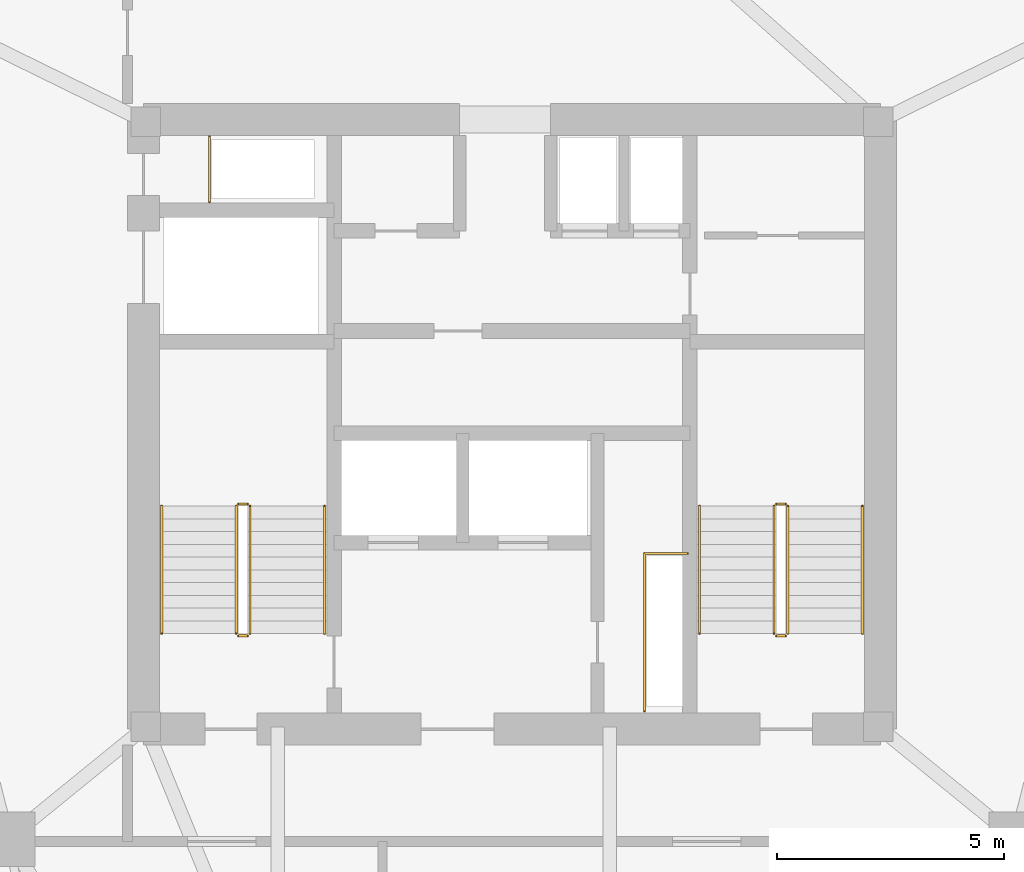
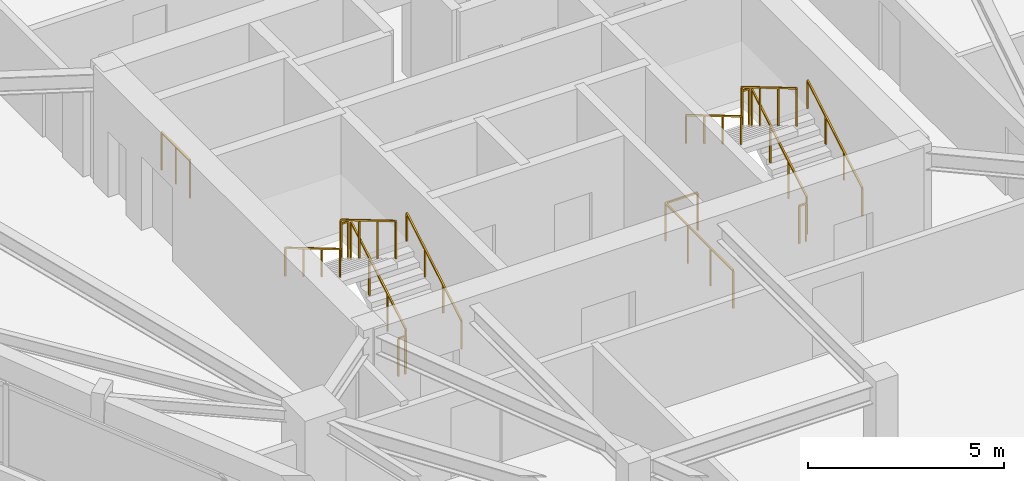
# One storey, part 11 of 11: 14 railings.
"""IFC4 building model written with IfcOpenShell, lengths in metres."""

from ifc_helpers import new_model, si_unit, direction, frame, origin, origin_2d, place, context, subcontext, project, spatial, rectangle, extrude, material, type_object, element, save


model = new_model("IFC4")

# Units and contexts
model_context = context("Model", 3, precision=1e-05, world=origin(), true_north=direction((0.0, 1.0)))
body_context = subcontext(model_context, "Body", "Model", "MODEL_VIEW")
ifc_project = project(units=[si_unit("LENGTHUNIT", "METRE"), si_unit("AREAUNIT", "SQUARE_METRE"), si_unit("VOLUMEUNIT", "CUBIC_METRE"), si_unit("PLANEANGLEUNIT", "RADIAN"), si_unit("MASSUNIT", "GRAM", prefix="KILO")], contexts=[model_context])

# Site, building, storey
site_placement = place(None, origin())
site = spatial("IfcSite", under=ifc_project, at=site_placement, CompositionType="ELEMENT")
building_placement = place(site_placement, origin())
building = spatial("IfcBuilding", under=site, at=building_placement, Name="Talyreon Biosciences Tower", CompositionType="ELEMENT")
storey_placement = place(building_placement, frame((0.0, 0.0, 238.89990234375)))
storey = spatial("IfcBuildingStorey", under=building, at=storey_placement, Name="L63", CompositionType="ELEMENT", Elevation=238.89990234375)

# Railings
ifc_material_1 = material(Name="Brushed stainless-steel tubular handrail", Category="steel")
railing_type_1 = type_object("IfcRailingType", Name="StairWallHandrail_900", PredefinedType="HANDRAIL", material=ifc_material_1)
railing_1_placement = place(storey_placement, frame((61.8798828125, 63.39990234375, 0.166015625)))
element("IfcRailing", 1, at=railing_1_placement, inside=storey, type_object=railing_type_1, Name="L63 ST-1 stair handrail 1", PredefinedType="HANDRAIL", context=body_context, shape_type="SweptSolid", body=[
    extrude(rectangle(XDim=0.048095703125, YDim=0.048095703125, at=origin_2d()), frame((0.0, 0.0, 0.8759765625), z_axis=(0.0, 0.860306154799, 0.50977771628), x_axis=(-1.0, 0.0, 0.0)), (0.0, 0.0, 1.0), 3.254638671875),
    extrude(rectangle(XDim=0.0419921875, YDim=0.0419921875, at=origin_2d()), origin(), (0.0, 0.0, 1.0), 0.851806640625),
    extrude(rectangle(XDim=0.0419921875, YDim=0.0419921875, at=origin_2d()), frame((0.0, 0.933349609375, 0.552978515625)), (0.0, 0.0, 1.0), 0.851806640625),
    extrude(rectangle(XDim=0.0419921875, YDim=0.0419921875, at=origin_2d()), frame((0.0, 1.86669921875, 1.106201171875)), (0.0, 0.0, 1.0), 0.851806640625),
    extrude(rectangle(XDim=0.0419921875, YDim=0.0419921875, at=origin_2d()), frame((0.0, 2.800048828125, 1.6591796875)), (0.0, 0.0, 1.0), 0.851806640625),
])
railing_2_placement = place(storey_placement, frame((58.300048828125, 66.199951171875, 1.990966796875)))
element("IfcRailing", 2, at=railing_2_placement, inside=storey, type_object=railing_type_1, Name="L63 ST-1 stair handrail 2", PredefinedType="HANDRAIL", context=body_context, shape_type="SweptSolid", body=[
    extrude(rectangle(XDim=0.048095703125, YDim=0.048095703125, at=origin_2d()), frame((0.0, 0.0, 0.8759765625), z_axis=(0.0, -0.860306154799, 0.50977771628), x_axis=(1.0, 0.0, 0.0)), (0.0, 0.0, 1.0), 3.254638671875),
    extrude(rectangle(XDim=0.0419921875, YDim=0.0419921875, at=origin_2d()), origin(), (0.0, 0.0, 1.0), 0.851806640625),
    extrude(rectangle(XDim=0.0419921875, YDim=0.0419921875, at=origin_2d()), frame((0.0, -0.933349609375, 0.552978515625)), (0.0, 0.0, 1.0), 0.851806640625),
    extrude(rectangle(XDim=0.0419921875, YDim=0.0419921875, at=origin_2d()), frame((0.0, -1.86669921875, 1.106201171875)), (0.0, 0.0, 1.0), 0.851806640625),
    extrude(rectangle(XDim=0.0419921875, YDim=0.0419921875, at=origin_2d()), frame((0.0, -2.800048828125, 1.6591796875)), (0.0, 0.0, 1.0), 0.851806640625),
])
railing_3_placement = place(storey_placement, frame((73.699951171875, 63.39990234375, 0.166015625)))
element("IfcRailing", 3, at=railing_3_placement, inside=storey, type_object=railing_type_1, Name="L63 ST-2 stair handrail 1", PredefinedType="HANDRAIL", context=body_context, shape_type="SweptSolid", body=[
    extrude(rectangle(XDim=0.048095703125, YDim=0.048095703125, at=origin_2d()), frame((0.0, 0.0, 0.8759765625), z_axis=(0.0, 0.860306154799, 0.50977771628), x_axis=(-1.0, 0.0, 0.0)), (0.0, 0.0, 1.0), 3.254638671875),
    extrude(rectangle(XDim=0.0419921875, YDim=0.0419921875, at=origin_2d()), origin(), (0.0, 0.0, 1.0), 0.851806640625),
    extrude(rectangle(XDim=0.0419921875, YDim=0.0419921875, at=origin_2d()), frame((0.0, 0.933349609375, 0.552978515625)), (0.0, 0.0, 1.0), 0.851806640625),
    extrude(rectangle(XDim=0.0419921875, YDim=0.0419921875, at=origin_2d()), frame((0.0, 1.86669921875, 1.106201171875)), (0.0, 0.0, 1.0), 0.851806640625),
    extrude(rectangle(XDim=0.0419921875, YDim=0.0419921875, at=origin_2d()), frame((0.0, 2.800048828125, 1.6591796875)), (0.0, 0.0, 1.0), 0.851806640625),
])
railing_4_placement = place(storey_placement, frame((70.1201171875, 66.199951171875, 1.990966796875)))
element("IfcRailing", 4, at=railing_4_placement, inside=storey, type_object=railing_type_1, Name="L63 ST-2 stair handrail 2", PredefinedType="HANDRAIL", context=body_context, shape_type="SweptSolid", body=[
    extrude(rectangle(XDim=0.048095703125, YDim=0.048095703125, at=origin_2d()), frame((0.0, 0.0, 0.8759765625), z_axis=(0.0, -0.860306154799, 0.50977771628), x_axis=(1.0, 0.0, 0.0)), (0.0, 0.0, 1.0), 3.254638671875),
    extrude(rectangle(XDim=0.0419921875, YDim=0.0419921875, at=origin_2d()), origin(), (0.0, 0.0, 1.0), 0.851806640625),
    extrude(rectangle(XDim=0.0419921875, YDim=0.0419921875, at=origin_2d()), frame((0.0, -0.933349609375, 0.552978515625)), (0.0, 0.0, 1.0), 0.851806640625),
    extrude(rectangle(XDim=0.0419921875, YDim=0.0419921875, at=origin_2d()), frame((0.0, -1.86669921875, 1.106201171875)), (0.0, 0.0, 1.0), 0.851806640625),
    extrude(rectangle(XDim=0.0419921875, YDim=0.0419921875, at=origin_2d()), frame((0.0, -2.800048828125, 1.6591796875)), (0.0, 0.0, 1.0), 0.851806640625),
])
ifc_material_2 = material(Name="Painted galvanised steel post-and-rail balustrade", Category="steel")
railing_type_2 = type_object("IfcRailingType", Name="TerraceStairGuard_1200", PredefinedType="GUARDRAIL", material=ifc_material_2)
railing_5_placement = place(storey_placement, frame((60.239990234375, 63.39990234375, 0.166015625)))
element("IfcRailing", 5, at=railing_5_placement, inside=storey, type_object=railing_type_2, Name="L63 ST-1 stair guard 1", PredefinedType="GUARDRAIL", context=body_context, shape_type="SweptSolid", body=[
    extrude(rectangle(XDim=0.048095703125, YDim=0.048095703125, at=origin_2d()), frame((0.0, 0.0, 1.17578125), z_axis=(0.0, 0.860306154799, 0.50977771628), x_axis=(-1.0, 0.0, 0.0)), (0.0, 0.0, 1.0), 3.254638671875),
    extrude(rectangle(XDim=0.0419921875, YDim=0.0419921875, at=origin_2d()), origin(), (0.0, 0.0, 1.0), 1.15185546875),
    extrude(rectangle(XDim=0.0419921875, YDim=0.0419921875, at=origin_2d()), frame((0.0, 0.933349609375, 0.552978515625)), (0.0, 0.0, 1.0), 1.15185546875),
    extrude(rectangle(XDim=0.0419921875, YDim=0.0419921875, at=origin_2d()), frame((0.0, 1.86669921875, 1.106201171875)), (0.0, 0.0, 1.0), 1.15185546875),
    extrude(rectangle(XDim=0.0419921875, YDim=0.0419921875, at=origin_2d()), frame((0.0, 2.800048828125, 1.6591796875)), (0.0, 0.0, 1.0), 1.15185546875),
])
railing_6_placement = place(storey_placement, frame((60.18994140625, 66.25, 1.8251953125)))
element("IfcRailing", 6, at=railing_6_placement, inside=storey, type_object=railing_type_2, Name="L63 ST-1 stair guard 2", PredefinedType="GUARDRAIL", context=body_context, shape_type="SweptSolid", body=[
    extrude(rectangle(XDim=0.048095703125, YDim=0.048095703125, at=origin_2d()), frame((0.0, 0.0, 1.17578125), z_axis=(-1.0, 0.0, 0.0), x_axis=(0.0, -1.0, 0.0)), (0.0, 0.0, 1.0), 0.199951171875),
    extrude(rectangle(XDim=0.0419921875, YDim=0.0419921875, at=origin_2d()), origin(), (0.0, 0.0, 1.0), 1.15185546875),
    extrude(rectangle(XDim=0.0419921875, YDim=0.0419921875, at=origin_2d()), frame((-0.199951171875, 0.0, 0.0)), (0.0, 0.0, 1.0), 1.15185546875),
])
railing_7_placement = place(storey_placement, frame((59.93994140625, 66.199951171875, 1.990966796875)))
element("IfcRailing", 7, at=railing_7_placement, inside=storey, type_object=railing_type_2, Name="L63 ST-1 stair guard 3", PredefinedType="GUARDRAIL", context=body_context, shape_type="SweptSolid", body=[
    extrude(rectangle(XDim=0.048095703125, YDim=0.048095703125, at=origin_2d()), frame((0.0, 0.0, 1.17578125), z_axis=(0.0, -0.860306154799, 0.50977771628), x_axis=(1.0, 0.0, 0.0)), (0.0, 0.0, 1.0), 3.254638671875),
    extrude(rectangle(XDim=0.0419921875, YDim=0.0419921875, at=origin_2d()), origin(), (0.0, 0.0, 1.0), 1.15185546875),
    extrude(rectangle(XDim=0.0419921875, YDim=0.0419921875, at=origin_2d()), frame((0.0, -0.933349609375, 0.552978515625)), (0.0, 0.0, 1.0), 1.15185546875),
    extrude(rectangle(XDim=0.0419921875, YDim=0.0419921875, at=origin_2d()), frame((0.0, -1.86669921875, 1.106201171875)), (0.0, 0.0, 1.0), 1.15185546875),
    extrude(rectangle(XDim=0.0419921875, YDim=0.0419921875, at=origin_2d()), frame((0.0, -2.800048828125, 1.6591796875)), (0.0, 0.0, 1.0), 1.15185546875),
])
railing_8_placement = place(storey_placement, frame((60.18994140625, 63.35009765625, 0.0)))
element("IfcRailing", 8, at=railing_8_placement, inside=storey, type_object=railing_type_2, Name="L63 ST-1 stair guard 4", PredefinedType="GUARDRAIL", context=body_context, shape_type="SweptSolid", body=[
    extrude(rectangle(XDim=0.048095703125, YDim=0.048095703125, at=origin_2d()), frame((0.0, 0.0, 1.17578125), z_axis=(-1.0, 0.0, 0.0), x_axis=(0.0, -1.0, 0.0)), (0.0, 0.0, 1.0), 0.199951171875),
    extrude(rectangle(XDim=0.0419921875, YDim=0.0419921875, at=origin_2d()), origin(), (0.0, 0.0, 1.0), 1.15185546875),
    extrude(rectangle(XDim=0.0419921875, YDim=0.0419921875, at=origin_2d()), frame((-0.199951171875, 0.0, 0.0)), (0.0, 0.0, 1.0), 1.15185546875),
])
railing_9_placement = place(storey_placement, frame((72.06005859375, 63.39990234375, 0.166015625)))
element("IfcRailing", 9, at=railing_9_placement, inside=storey, type_object=railing_type_2, Name="L63 ST-2 stair guard 1", PredefinedType="GUARDRAIL", context=body_context, shape_type="SweptSolid", body=[
    extrude(rectangle(XDim=0.048095703125, YDim=0.048095703125, at=origin_2d()), frame((0.0, 0.0, 1.17578125), z_axis=(0.0, 0.860306154799, 0.50977771628), x_axis=(-1.0, 0.0, 0.0)), (0.0, 0.0, 1.0), 3.254638671875),
    extrude(rectangle(XDim=0.0419921875, YDim=0.0419921875, at=origin_2d()), origin(), (0.0, 0.0, 1.0), 1.15185546875),
    extrude(rectangle(XDim=0.0419921875, YDim=0.0419921875, at=origin_2d()), frame((0.0, 0.933349609375, 0.552978515625)), (0.0, 0.0, 1.0), 1.15185546875),
    extrude(rectangle(XDim=0.0419921875, YDim=0.0419921875, at=origin_2d()), frame((0.0, 1.86669921875, 1.106201171875)), (0.0, 0.0, 1.0), 1.15185546875),
    extrude(rectangle(XDim=0.0419921875, YDim=0.0419921875, at=origin_2d()), frame((0.0, 2.800048828125, 1.6591796875)), (0.0, 0.0, 1.0), 1.15185546875),
])
railing_10_placement = place(storey_placement, frame((72.010009765625, 66.25, 1.8251953125)))
element("IfcRailing", 10, at=railing_10_placement, inside=storey, type_object=railing_type_2, Name="L63 ST-2 stair guard 2", PredefinedType="GUARDRAIL", context=body_context, shape_type="SweptSolid", body=[
    extrude(rectangle(XDim=0.048095703125, YDim=0.048095703125, at=origin_2d()), frame((0.0, 0.0, 1.17578125), z_axis=(-1.0, 0.0, 0.0), x_axis=(0.0, -1.0, 0.0)), (0.0, 0.0, 1.0), 0.199951171875),
    extrude(rectangle(XDim=0.0419921875, YDim=0.0419921875, at=origin_2d()), origin(), (0.0, 0.0, 1.0), 1.15185546875),
    extrude(rectangle(XDim=0.0419921875, YDim=0.0419921875, at=origin_2d()), frame((-0.199951171875, 0.0, 0.0)), (0.0, 0.0, 1.0), 1.15185546875),
])
railing_11_placement = place(storey_placement, frame((71.760009765625, 66.199951171875, 1.990966796875)))
element("IfcRailing", 11, at=railing_11_placement, inside=storey, type_object=railing_type_2, Name="L63 ST-2 stair guard 3", PredefinedType="GUARDRAIL", context=body_context, shape_type="SweptSolid", body=[
    extrude(rectangle(XDim=0.048095703125, YDim=0.048095703125, at=origin_2d()), frame((0.0, 0.0, 1.17578125), z_axis=(0.0, -0.860306154799, 0.50977771628), x_axis=(1.0, 0.0, 0.0)), (0.0, 0.0, 1.0), 3.254638671875),
    extrude(rectangle(XDim=0.0419921875, YDim=0.0419921875, at=origin_2d()), origin(), (0.0, 0.0, 1.0), 1.15185546875),
    extrude(rectangle(XDim=0.0419921875, YDim=0.0419921875, at=origin_2d()), frame((0.0, -0.933349609375, 0.552978515625)), (0.0, 0.0, 1.0), 1.15185546875),
    extrude(rectangle(XDim=0.0419921875, YDim=0.0419921875, at=origin_2d()), frame((0.0, -1.86669921875, 1.106201171875)), (0.0, 0.0, 1.0), 1.15185546875),
    extrude(rectangle(XDim=0.0419921875, YDim=0.0419921875, at=origin_2d()), frame((0.0, -2.800048828125, 1.6591796875)), (0.0, 0.0, 1.0), 1.15185546875),
])
railing_12_placement = place(storey_placement, frame((72.010009765625, 63.35009765625, 0.0)))
element("IfcRailing", 12, at=railing_12_placement, inside=storey, type_object=railing_type_2, Name="L63 ST-2 stair guard 4", PredefinedType="GUARDRAIL", context=body_context, shape_type="SweptSolid", body=[
    extrude(rectangle(XDim=0.048095703125, YDim=0.048095703125, at=origin_2d()), frame((0.0, 0.0, 1.17578125), z_axis=(-1.0, 0.0, 0.0), x_axis=(0.0, -1.0, 0.0)), (0.0, 0.0, 1.0), 0.199951171875),
    extrude(rectangle(XDim=0.0419921875, YDim=0.0419921875, at=origin_2d()), origin(), (0.0, 0.0, 1.0), 1.15185546875),
    extrude(rectangle(XDim=0.0419921875, YDim=0.0419921875, at=origin_2d()), frame((-0.199951171875, 0.0, 0.0)), (0.0, 0.0, 1.0), 1.15185546875),
])
railing_13_placement = place(storey_placement, frame((59.35009765625, 72.8798828125, 0.0)))
element("IfcRailing", 13, at=railing_13_placement, inside=storey, type_object=railing_type_2, Name="L63 Exhaust Riser Maintenance Guardrail", PredefinedType="GUARDRAIL", context=body_context, shape_type="SweptSolid", body=[
    extrude(rectangle(XDim=0.048095703125, YDim=0.048095703125, at=origin_2d()), frame((0.0, 0.0, 1.17578125), z_axis=(0.0, 1.0, 0.0), x_axis=(-1.0, 0.0, 0.0)), (0.0, 0.0, 1.0), 1.4501953125),
    extrude(rectangle(XDim=0.0419921875, YDim=0.0419921875, at=origin_2d()), origin(), (0.0, 0.0, 1.0), 1.15185546875),
    extrude(rectangle(XDim=0.0419921875, YDim=0.0419921875, at=origin_2d()), frame((0.0, 0.72509765625, 0.0)), (0.0, 0.0, 1.0), 1.15185546875),
    extrude(rectangle(XDim=0.0419921875, YDim=0.0419921875, at=origin_2d()), frame((0.0, 1.4501953125, 0.0)), (0.0, 0.0, 1.0), 1.15185546875),
])
railing_14_placement = place(storey_placement, frame((68.909912109375, 61.699951171875, 0.0)))
element("IfcRailing", 14, at=railing_14_placement, inside=storey, type_object=railing_type_2, Name="L63 Electrical Riser Maintenance Guardrail", PredefinedType="GUARDRAIL", context=body_context, shape_type="SweptSolid", body=[
    extrude(rectangle(XDim=0.048095703125, YDim=0.048095703125, at=origin_2d()), frame((0.0, 0.0, 1.17578125), z_axis=(0.0, 1.0, 0.0), x_axis=(-1.0, 0.0, 0.0)), (0.0, 0.0, 1.0), 3.4599609375),
    extrude(rectangle(XDim=0.048095703125, YDim=0.048095703125, at=origin_2d()), frame((0.0, 3.4599609375, 1.17578125), z_axis=(1.0, 0.0, 0.0), x_axis=(0.0, 1.0, 0.0)), (0.0, 0.0, 1.0), 0.9501953125),
    extrude(rectangle(XDim=0.0419921875, YDim=0.0419921875, at=origin_2d()), origin(), (0.0, 0.0, 1.0), 1.15185546875),
    extrude(rectangle(XDim=0.0419921875, YDim=0.0419921875, at=origin_2d()), frame((0.0, 1.1533203125, 0.0)), (0.0, 0.0, 1.0), 1.15185546875),
    extrude(rectangle(XDim=0.0419921875, YDim=0.0419921875, at=origin_2d()), frame((0.0, 2.306640625, 0.0)), (0.0, 0.0, 1.0), 1.15185546875),
    extrude(rectangle(XDim=0.0419921875, YDim=0.0419921875, at=origin_2d()), frame((0.0, 3.4599609375, 0.0)), (0.0, 0.0, 1.0), 1.15185546875),
    extrude(rectangle(XDim=0.0419921875, YDim=0.0419921875, at=origin_2d()), frame((0.9501953125, 3.4599609375, 0.0)), (0.0, 0.0, 1.0), 1.15185546875),
])

save(model, "model.ifc")
